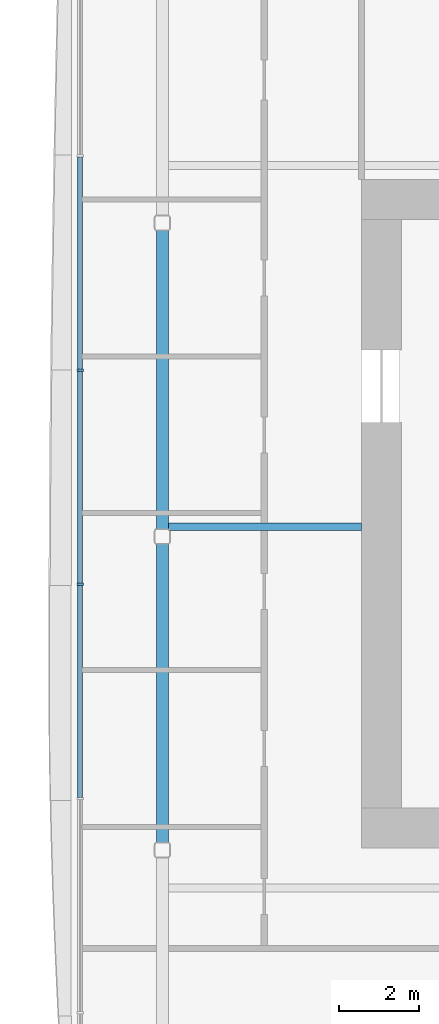
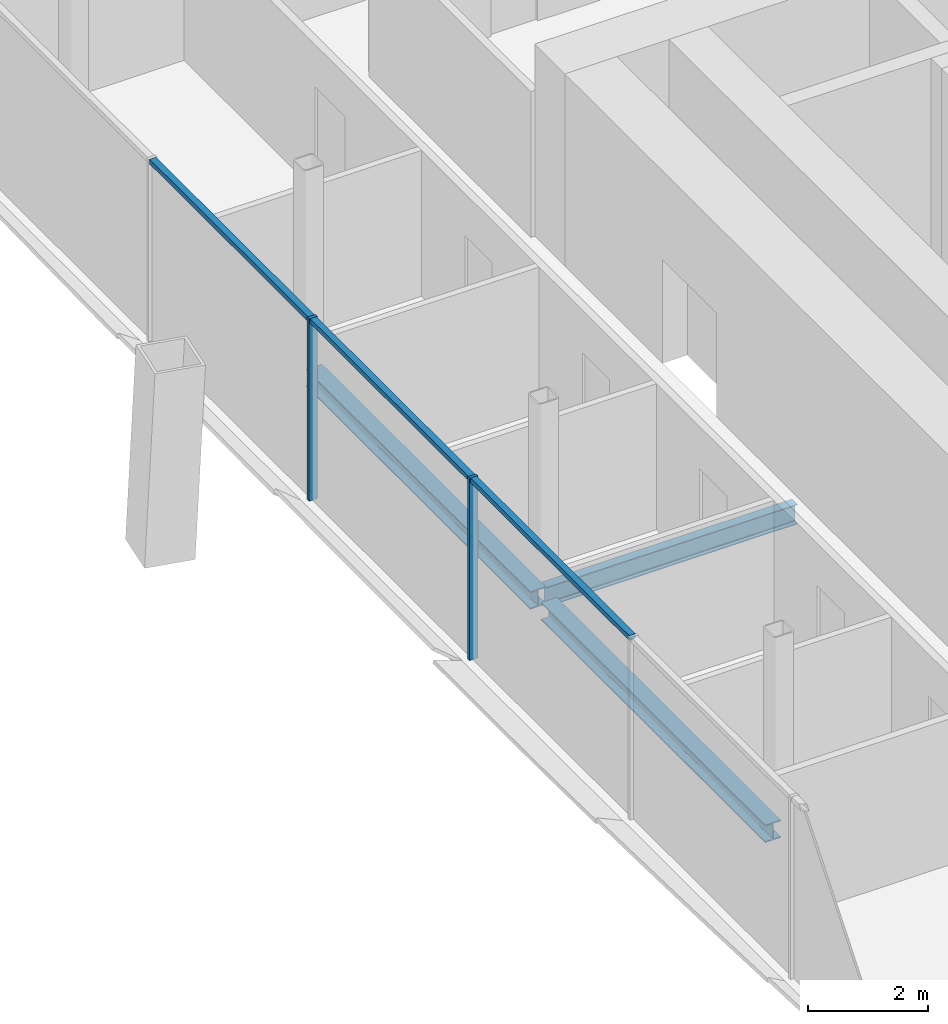
# One storey, part 4 of 19: 5 members, 3 beams, 1 element without a shape of its own.
"""IFC4 building model written with IfcOpenShell, lengths in metres."""

import ifcopenshell
import ifcopenshell.guid

model = None  # the IFC model being written
_history = None  # IfcOwnerHistory: only IFC2X3 demands one
_inside = {}  # id of a spatial element -> (the spatial element, [elements in it])
_under = {}  # id of a project, library or spatial element -> (it, [spatial elements below it])
_declared = {}  # id of a project -> (the project, [libraries it declares])
_typed = {}  # id of a type object -> (the type object, [elements of that type])
_made_of = {}  # id of a material, layer set ... -> (it, [elements and type objects made of it])


def new_model(schema):
    """Start an empty IFC model of exactly this schema.

    Asked for "IFC4X3", IfcOpenShell would pick the latest addendum, in which some entities
    have other attributes; the version numbers below select the first issue.
    IFC2X3 requires an IfcOwnerHistory on every rooted entity: one is made here for all.
    """
    global model, _history
    if schema == "IFC4X3":
        model = ifcopenshell.file(schema_version=(4, 3, 0, 0))
    else:
        model = ifcopenshell.file(schema=schema)
    _inside.clear()
    _under.clear()
    _declared.clear()
    _typed.clear()
    _made_of.clear()
    _history = None
    if model.schema == "IFC2X3":
        org = make("IfcOrganization", Name="unknown")
        user = make(
            "IfcPersonAndOrganization",
            ThePerson=make("IfcPerson", FamilyName="unknown"),
            TheOrganization=org,
        )
        app = make(
            "IfcApplication",
            ApplicationDeveloper=org,
            Version="unknown",
            ApplicationFullName="unknown",
            ApplicationIdentifier="unknown",
        )
        _history = make(
            "IfcOwnerHistory",
            OwningUser=user,
            OwningApplication=app,
            ChangeAction="ADDED",
            CreationDate=0,
        )
    return model


def make(cls, **values):
    """One entity of the class cls with the attributes given. An attribute that is None is left unset."""
    return model.create_entity(
        cls, **{name: value for name, value in values.items() if value is not None}
    )


def rooted(cls, **values):
    """An entity with a GlobalId (a new one), such as an element, a storey or a relation."""
    return make(cls, GlobalId=ifcopenshell.guid.new(), OwnerHistory=_history, **values)


def si_unit(unit_type, name, prefix=None):
    """IfcSIUnit, for example si_unit("LENGTHUNIT", "METRE", prefix="MILLI")."""
    return make("IfcSIUnit", UnitType=unit_type, Prefix=prefix, Name=name)


def assignment(units):
    """IfcUnitAssignment: the units of a project."""
    return None if units is None else make("IfcUnitAssignment", Units=units)


def point(xyz):
    """IfcCartesianPoint."""
    return None if xyz is None else make("IfcCartesianPoint", Coordinates=xyz)


def direction(xyz):
    """IfcDirection."""
    return None if xyz is None else make("IfcDirection", DirectionRatios=xyz)


def frame(location, z_axis=None, x_axis=None):
    """IfcAxis2Placement3D, a coordinate frame: its origin and axes. An axis left out is left unset."""
    return make(
        "IfcAxis2Placement3D",
        Location=point(location),
        Axis=direction(z_axis),
        RefDirection=direction(x_axis),
    )


def frame_2d(location, x_axis=None):
    """IfcAxis2Placement2D, a coordinate frame in the plane: its origin and x axis."""
    return make(
        "IfcAxis2Placement2D", Location=point(location), RefDirection=direction(x_axis)
    )


def origin():
    """The frame at (0, 0, 0) with its axes left unset."""
    return frame((0.0, 0.0, 0.0))


def origin_2d():
    """The frame at (0, 0) in the plane with its x axis left unset."""
    return frame_2d((0.0, 0.0))


def place(relative_to, where):
    """IfcLocalPlacement: puts the frame where relative to a parent placement (None: the world)."""
    return make(
        "IfcLocalPlacement", PlacementRelTo=relative_to, RelativePlacement=where
    )


def context(
    kind, dimensions, precision=None, world=None, true_north=None, identifier=None
):
    """IfcGeometricRepresentationContext, for example the 3D "Model" context."""
    return make(
        "IfcGeometricRepresentationContext",
        ContextIdentifier=identifier,
        ContextType=kind,
        CoordinateSpaceDimension=dimensions,
        Precision=precision,
        WorldCoordinateSystem=world,
        TrueNorth=true_north,
    )


def subcontext(parent, identifier, kind, view, scale=None):
    """IfcGeometricRepresentationSubContext, for example "Body" below "Model"."""
    return make(
        "IfcGeometricRepresentationSubContext",
        ContextIdentifier=identifier,
        ContextType=kind,
        ParentContext=parent,
        TargetScale=scale,
        TargetView=view,
    )


def project(units=None, contexts=None):
    """IfcProject with its units and contexts."""
    return rooted(
        "IfcProject",
        Name="project",
        RepresentationContexts=contexts,
        UnitsInContext=assignment(units),
    )


def spatial(cls, under=None, at=None, **own):
    """A site, building, storey or space (cls), placed at a placement, below another one or the project."""
    s = rooted(cls, ObjectPlacement=at, **own)
    if under is not None:
        _under.setdefault(under.id(), (under, []))[1].append(s)
    return s


def profile(cls, at=None, kind="AREA", **sizes):
    """A parametric profile (cls). Its sizes go by their IFC names, for example OverallWidth=200.0."""
    return make(cls, ProfileType=kind, Position=at, **sizes)


def rectangle(**sizes):
    """IfcRectangleProfileDef."""
    return profile("IfcRectangleProfileDef", **sizes)


def i_section(**sizes):
    """IfcIShapeProfileDef."""
    return profile("IfcIShapeProfileDef", **sizes)


def extrude(swept, where, along, depth):
    """IfcExtrudedAreaSolid: the profile swept, set in the frame where, extruded along a direction by depth."""
    return make(
        "IfcExtrudedAreaSolid",
        SweptArea=swept,
        Position=where,
        ExtrudedDirection=direction(along),
        Depth=depth,
    )


def shape(context_of_items, identifier, shape_type, items):
    """IfcShapeRepresentation: the items that make up one representation, for example the "Body"."""
    return make(
        "IfcShapeRepresentation",
        ContextOfItems=context_of_items,
        RepresentationIdentifier=identifier,
        RepresentationType=shape_type,
        Items=items,
    )


def material(Name=None, Category=None):
    """IfcMaterial."""
    return make("IfcMaterial", Name=Name, Category=Category)


def material_profile(
    of_material, cross_section, Name=None, Category=None, Priority=None
):
    """IfcMaterialProfile: a cross section and its material."""
    return make(
        "IfcMaterialProfile",
        Name=Name,
        Material=of_material,
        Profile=cross_section,
        Priority=Priority,
        Category=Category,
    )


def profile_set(profiles, Name=None, composite=None):
    """IfcMaterialProfileSet."""
    return make(
        "IfcMaterialProfileSet",
        Name=Name,
        MaterialProfiles=profiles,
        CompositeProfile=composite,
    )


def made_of(thing, what):
    """Note that an element or type object is made of a material, layer set ...; save() writes the relation."""
    if what is not None:
        _made_of.setdefault(what.id(), (what, []))[1].append(thing)
    return thing


def type_object(cls, material=None, **own):
    """A type object (cls), such as IfcWallType, which elements share."""
    return made_of(rooted(cls, **own), material)


def element(
    cls,
    number,
    at=None,
    inside=None,
    cuts=None,
    type_object=None,
    material=None,
    context=None,
    identifier="Body",
    shape_type=None,
    held_by="IfcProductDefinitionShape",
    body=None,
    shapes=None,
    **own,
):
    """One element of the class cls, such as IfcWall. Its Tag is "e" and its number.

    at: its placement. inside: the storey or other place that contains it. cuts: it is an
    opening in that element (IfcRelVoidsElement). A single representation is given by context,
    identifier, shape_type and body (its items); several are given by shapes. held_by: the class
    of the entity that holds the representations. save() writes the other relations.
    """
    e = rooted(cls, Tag="e%d" % number, ObjectPlacement=at, **own)
    if body is not None:
        shapes = [shape(context, identifier, shape_type, body)]
    if shapes is not None:
        e.Representation = make(held_by, Representations=shapes)
    if inside is not None:
        _inside.setdefault(inside.id(), (inside, []))[1].append(e)
    if cuts is not None:
        rooted(
            "IfcRelVoidsElement", RelatingBuildingElement=cuts, RelatedOpeningElement=e
        )
    if type_object is not None:
        _typed.setdefault(type_object.id(), (type_object, []))[1].append(e)
    return made_of(e, material)


def aggregate(whole, parts):
    """IfcRelAggregates: a whole, such as a stair, and the parts it consists of."""
    return rooted("IfcRelAggregates", RelatingObject=whole, RelatedObjects=parts)


def save(model, path):
    """Write the relations noted so far, then the file.

    IfcRelAggregates (storeys below a building ...), IfcRelContainedInSpatialStructure (elements
    in a storey), IfcRelDefinesByType, IfcRelAssociatesMaterial and IfcRelDeclares: one each for
    every whole, place, type object, material and project.
    """
    for whole, parts in _under.values():
        aggregate(whole, parts)
    for where, things in _inside.values():
        rooted(
            "IfcRelContainedInSpatialStructure",
            RelatedElements=things,
            RelatingStructure=where,
        )
    for kind, things in _typed.values():
        rooted("IfcRelDefinesByType", RelatedObjects=things, RelatingType=kind)
    for what, things in _made_of.values():
        rooted("IfcRelAssociatesMaterial", RelatedObjects=things, RelatingMaterial=what)
    for by, libraries in _declared.values():
        rooted("IfcRelDeclares", RelatingContext=by, RelatedDefinitions=libraries)
    model.write(path)


model = new_model("IFC4")

# Units and contexts
model_context = context("Model", 3, precision=1e-05, world=origin(), true_north=direction((0.0, 1.0)))
body_context = subcontext(model_context, "Body", "Model", "MODEL_VIEW")
ifc_project = project(units=[si_unit("LENGTHUNIT", "METRE"), si_unit("AREAUNIT", "SQUARE_METRE"), si_unit("VOLUMEUNIT", "CUBIC_METRE"), si_unit("PLANEANGLEUNIT", "RADIAN"), si_unit("MASSUNIT", "GRAM", prefix="KILO")], contexts=[model_context])

# Site, building, storey
site_placement = place(None, origin())
site = spatial("IfcSite", under=ifc_project, at=site_placement, CompositionType="ELEMENT")
building_placement = place(site_placement, origin())
building = spatial("IfcBuilding", under=site, at=building_placement, Name="Tskaro Facet Tower", CompositionType="ELEMENT")
storey_placement = place(building_placement, frame((0.0, 0.0, 77.699951171875)))
storey = spatial("IfcBuildingStorey", under=building, at=storey_placement, Name="L18", CompositionType="ELEMENT", Elevation=77.699951171875)

# Curtain wall, members
ifc_material_1 = material(Name="Bronze anodised aluminium 6063-T6", Category="aluminium")
curtain_wall_type = type_object("IfcCurtainWallType", Name="Bronze office curtain wall (FW1)", PredefinedType="NOTDEFINED", material=ifc_material_1)
curtain_wall_placement = place(storey_placement, origin())
curtain_wall = element("IfcCurtainWall", 1, at=curtain_wall_placement, inside=storey, type_object=curtain_wall_type, Name="FW1 west facet L18", PredefinedType="NOTDEFINED")
ifc_material_profile_1 = material_profile(ifc_material_1, rectangle(XDim=0.06005859375, YDim=0.159912109375, at=origin_2d()), Name="Mullion 60x160")
ifc_profile_set_1 = profile_set([ifc_material_profile_1], Name="Bronze anodised aluminium 6063-T6")
member_type_1 = type_object("IfcMemberType", Name="FW1 bronze mullion 60x160", PredefinedType="MULLION", material=ifc_profile_set_1)
member_1_placement = place(storey_placement, frame((-22.010986328125, -0.597412109375, 0.0), z_axis=(0.0, 0.0, 1.0), x_axis=(0.0, -1.0, 0.0)))
member_1 = element("IfcMember", 2, at=member_1_placement, type_object=member_type_1, Name="FW1 west mullion 4", PredefinedType="MULLION", context=body_context, shape_type="SweptSolid", body=[
    extrude(rectangle(XDim=0.06005859375, YDim=0.159912109375, at=origin_2d()), origin(), (0.0, 0.0, 1.0), 3.699951171875),
])
member_2_placement = place(storey_placement, frame((-22.010986328125, -5.932861328125, 0.0), z_axis=(0.0, 0.0, 1.0), x_axis=(0.0, -1.0, 0.0)))
member_2 = element("IfcMember", 3, at=member_2_placement, type_object=member_type_1, Name="FW1 west mullion 5", PredefinedType="MULLION", context=body_context, shape_type="SweptSolid", body=[
    extrude(rectangle(XDim=0.06005859375, YDim=0.159912109375, at=origin_2d()), origin(), (0.0, 0.0, 1.0), 3.699951171875),
])
ifc_material_profile_2 = material_profile(ifc_material_1, rectangle(XDim=0.1201171875, YDim=0.10009765625, at=origin_2d()), Name="Transom 120x100")
ifc_profile_set_2 = profile_set([ifc_material_profile_2], Name="Bronze anodised aluminium 6063-T6")
member_type_2 = type_object("IfcMemberType", Name="FW1 bronze transom 120x100", PredefinedType="USERDEFINED", material=ifc_profile_set_2)
member_3_placement = place(storey_placement, frame((-22.010986328125, 4.707763671875, 3.650146484375), z_axis=(0.0, -1.0, 0.0), x_axis=(1.0, 0.0, 0.0)))
member_3 = element("IfcMember", 4, at=member_3_placement, type_object=member_type_2, Name="FW1 west transom 4.1", ObjectType="TRANSOM", PredefinedType="USERDEFINED", context=body_context, shape_type="SweptSolid", body=[
    extrude(rectangle(XDim=0.1201171875, YDim=0.10009765625, at=origin_2d()), origin(), (0.0, 0.0, 1.0), 5.275146484375),
])
member_4_placement = place(storey_placement, frame((-22.010986328125, -0.62744140625, 3.650146484375), z_axis=(0.0, -1.0, 0.0), x_axis=(1.0, 0.0, 0.0)))
member_4 = element("IfcMember", 5, at=member_4_placement, type_object=member_type_2, Name="FW1 west transom 5.1", ObjectType="TRANSOM", PredefinedType="USERDEFINED", context=body_context, shape_type="SweptSolid", body=[
    extrude(rectangle(XDim=0.1201171875, YDim=0.10009765625, at=origin_2d()), origin(), (0.0, 0.0, 1.0), 5.275390625),
])
member_5_placement = place(storey_placement, frame((-22.010986328125, -5.962890625, 3.650146484375), z_axis=(0.0, -1.0, 0.0), x_axis=(1.0, 0.0, 0.0)))
member_5 = element("IfcMember", 6, at=member_5_placement, type_object=member_type_2, Name="FW1 west transom 6.1", ObjectType="TRANSOM", PredefinedType="USERDEFINED", context=body_context, shape_type="SweptSolid", body=[
    extrude(rectangle(XDim=0.1201171875, YDim=0.10009765625, at=origin_2d()), origin(), (0.0, 0.0, 1.0), 5.275390625),
])
aggregate(curtain_wall, [member_1, member_2, member_3, member_4, member_5])

# Beams
ifc_material_2 = material(Name="Steel S355J2", Category="steel")
ifc_material_profile_3 = material_profile(ifc_material_2, i_section(OverallWidth=0.300048828125, OverallDepth=0.360107421875, WebThickness=0.012451171875, FlangeThickness=0.0224609375, FilletRadius=0.027099609375, at=origin_2d()), Name="HE 360 B")
ifc_profile_set_3 = profile_set([ifc_material_profile_3], Name="Steel S355J2")
beam_type_1 = type_object("IfcBeamType", Name="HE 360 B ring beam", PredefinedType="BEAM", material=ifc_profile_set_3)
beam_1_placement = place(storey_placement, frame((-19.965087890625, 2.887939453125, -0.320068359375), z_axis=(0.0, -1.0, 0.0), x_axis=(1.0, 0.0, 0.0)))
element("IfcBeam", 7, at=beam_1_placement, inside=storey, type_object=beam_type_1, Name="HE 360 B EB21-2", PredefinedType="BEAM", context=body_context, shape_type="SweptSolid", body=[
    extrude(i_section(OverallWidth=0.300048828125, OverallDepth=0.360107421875, WebThickness=0.012451171875, FlangeThickness=0.0224609375, FilletRadius=0.027099609375, at=origin_2d()), origin(), (0.0, 0.0, 1.0), 7.449951171875),
])
beam_2_placement = place(storey_placement, frame((-19.965087890625, -4.922119140625, -0.320068359375), z_axis=(0.0, -1.0, 0.0), x_axis=(1.0, 0.0, 0.0)))
element("IfcBeam", 8, at=beam_2_placement, inside=storey, type_object=beam_type_1, Name="HE 360 B EB22-2", PredefinedType="BEAM", context=body_context, shape_type="SweptSolid", body=[
    extrude(i_section(OverallWidth=0.300048828125, OverallDepth=0.360107421875, WebThickness=0.012451171875, FlangeThickness=0.0224609375, FilletRadius=0.027099609375, at=origin_2d()), origin(), (0.0, 0.0, 1.0), 7.450927734375),
])
ifc_material_profile_4 = material_profile(ifc_material_2, i_section(OverallWidth=0.179931640625, OverallDepth=0.39990234375, WebThickness=0.008544921875, FlangeThickness=0.013427734375, FilletRadius=0.02099609375, at=origin_2d()), Name="IPE 400")
ifc_profile_set_4 = profile_set([ifc_material_profile_4], Name="Steel S355J2")
beam_type_2 = type_object("IfcBeamType", Name="IPE 400 secondary beam", PredefinedType="BEAM", material=ifc_profile_set_4)
beam_3_placement = place(storey_placement, frame((-19.81494140625, -4.5, -0.33984375), z_axis=(1.0, 0.0, 0.0), x_axis=(0.0, 1.0, 0.0)))
element("IfcBeam", 9, at=beam_3_placement, inside=storey, type_object=beam_type_2, Name="IPE 400 SB3a-1-2", PredefinedType="BEAM", context=body_context, shape_type="SweptSolid", body=[
    extrude(i_section(OverallWidth=0.179931640625, OverallDepth=0.39990234375, WebThickness=0.008544921875, FlangeThickness=0.013427734375, FilletRadius=0.02099609375, at=origin_2d()), origin(), (0.0, 0.0, 1.0), 4.81494140625),
])

save(model, "model.ifc")
